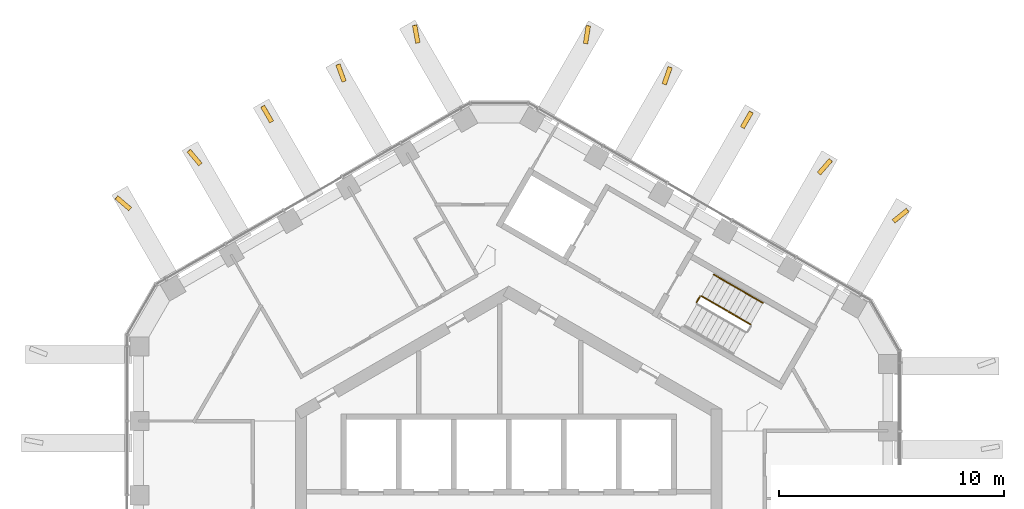
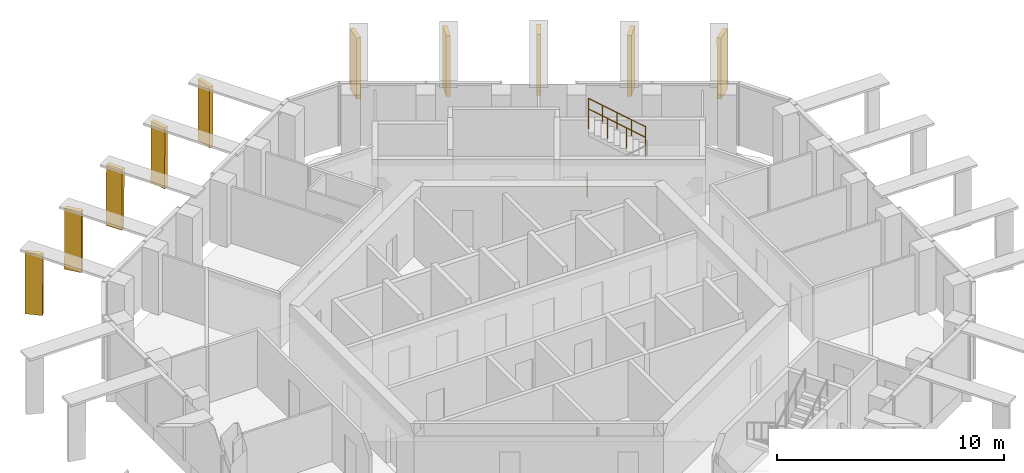
# One storey, part 18 of 18: 10 shading devices, 4 railings.
"""IFC4 building model written with IfcOpenShell, lengths in metres."""

from ifc_helpers import new_model, si_unit, direction, frame, origin, origin_2d, place, context, subcontext, project, spatial, polyline, circle, outline, extrude, material, layer, layer_set, type_object, element, save


model = new_model("IFC4")

# Units and contexts
model_context = context("Model", 3, precision=1e-05, world=origin(), true_north=direction((0.0, 1.0)))
body_context = subcontext(model_context, "Body", "Model", "MODEL_VIEW")
ifc_project = project(units=[si_unit("LENGTHUNIT", "METRE"), si_unit("AREAUNIT", "SQUARE_METRE"), si_unit("VOLUMEUNIT", "CUBIC_METRE"), si_unit("PLANEANGLEUNIT", "RADIAN"), si_unit("MASSUNIT", "GRAM", prefix="KILO")], contexts=[model_context])

# Site, building, storey
site_placement = place(None, origin())
site = spatial("IfcSite", under=ifc_project, at=site_placement, CompositionType="ELEMENT")
building_placement = place(site_placement, origin())
building = spatial("IfcBuilding", under=site, at=building_placement, Name="Ayvan Gate Tower", CompositionType="ELEMENT")
storey_placement = place(building_placement, frame((0.0, 0.0, 242.699951171875)))
storey = spatial("IfcBuildingStorey", under=building, at=storey_placement, Name="L65", CompositionType="ELEMENT", Elevation=242.699951171875)

# Shading devices
ifc_material_1 = material(Name="Bronze anodised aluminium", Category="aluminium")
ifc_layer = layer(ifc_material_1, 0.199951171875)
ifc_layer_set = layer_set([ifc_layer], Name="Bronze anodised aluminium")
shading_device_type = type_object("IfcShadingDeviceType", Name="Crown frame rib 800 x 200", PredefinedType="USERDEFINED", material=ifc_layer_set)
shading_device_1_placement = place(storey_placement, frame((-3.943603515625, 21.81591796875, 0.0), z_axis=(0.983236342138, 0.182335106899, 0.000451987025), x_axis=(-0.182335125493, 0.983236442577, -6.7811e-08)))
element("IfcShadingDevice", 1, at=shading_device_1_placement, inside=storey, type_object=shading_device_type, Name="CROWN FRAME rib FR03.3.1", ObjectType="FIN", PredefinedType="USERDEFINED", context=body_context, shape_type="SweptSolid", body=[
    extrude(outline(polyline([(0.0, 0.0), (0.8000102265386648, 0.0), (0.7913682775714035, 3.2800296855806397), (-0.008686464378758717, 3.2800295770790577), (0.0, 0.0)])), origin(), (0.0, 0.0, -1.0), 0.199951171875),
])
shading_device_2_placement = place(storey_placement, frame((-7.23291015625, 20.115966796875, 0.0), z_axis=(0.939463284364, 0.342649323917, 0.000422080237), x_axis=(-0.342649354439, 0.939463368047, 0.0)))
element("IfcShadingDevice", 2, at=shading_device_2_placement, inside=storey, type_object=shading_device_type, Name="CROWN FRAME rib FR03.3.2", ObjectType="FIN", PredefinedType="USERDEFINED", context=body_context, shape_type="SweptSolid", body=[
    extrude(outline(polyline([(0.0, 0.0), (0.8001472009893164, 0.0), (0.7920763544873165, 3.28002958904648), (-0.008070846501999976, 3.28002958904648), (0.0, 0.0)])), origin(), (0.0, 0.0, -1.0), 0.199951171875),
])
shading_device_3_placement = place(storey_placement, frame((-10.46875, 18.33203125, 0.0), z_axis=(0.866055904724, 0.499946985705, 0.000425885233), x_axis=(-0.499947031033, 0.866055983272, -3.2489e-08)))
element("IfcShadingDevice", 3, at=shading_device_3_placement, inside=storey, type_object=shading_device_type, Name="CROWN FRAME rib FR03.3.3", ObjectType="FIN", PredefinedType="USERDEFINED", context=body_context, shape_type="SweptSolid", body=[
    extrude(outline(polyline([(0.0, 0.0), (0.7999951458393758, 2.710505431213761e-20), (0.7920977851666643, 3.2800296200726384), (-0.007685921223670346, 3.280029568097072), (0.0, 0.0)])), origin(), (0.0, 0.0, -1.0), 0.199951171875),
])
shading_device_4_placement = place(storey_placement, frame((-13.6513671875, 16.4501953125, 0.0), z_axis=(0.766479790954, 0.642268254057, 0.000468924224), x_axis=(-0.642268324674, 0.766479875222, 8.886e-09)))
element("IfcShadingDevice", 4, at=shading_device_4_placement, inside=storey, type_object=shading_device_type, Name="CROWN FRAME rib FR03.3.4", ObjectType="FIN", PredefinedType="USERDEFINED", context=body_context, shape_type="SweptSolid", body=[
    extrude(outline(polyline([(0.0, 0.0), (0.8001397143546465, 0.0), (0.7918602127940954, 3.2800296504612505), (-0.007935568894560764, 3.2800296646783615), (0.0, 0.0)])), origin(), (0.0, 0.0, -1.0), 0.199951171875),
])
shading_device_5_placement = place(storey_placement, frame((-16.79150390625, 14.47509765625, 0.0), z_axis=(0.649471084407, 0.760386160367, 0.000444568997), x_axis=(-0.760386235494, 0.649471148605, -5.1569e-08)))
element("IfcShadingDevice", 5, at=shading_device_5_placement, inside=storey, type_object=shading_device_type, Name="CROWN FRAME rib FR03.3.5", ObjectType="FIN", PredefinedType="USERDEFINED", context=body_context, shape_type="SweptSolid", body=[
    extrude(outline(polyline([(0.0, 0.0), (0.8001969175372731, -2.710505431213761e-20), (0.7914872572825359, 3.2800296618261675), (-0.008551097962597077, 3.2800295793040357), (0.0, 0.0)])), origin(), (0.0, 0.0, -1.0), 0.199951171875),
])
shading_device_6_placement = place(storey_placement, frame((17.204833984375, 13.7734375, 0.0), z_axis=(0.628706374006, -0.777642641247, 0.000466689445), x_axis=(0.777642725931, 0.628706442472, 0.0)))
element("IfcShadingDevice", 6, at=shading_device_6_placement, inside=storey, type_object=shading_device_type, Name="CROWN FRAME rib FR03.2.1", ObjectType="FIN", PredefinedType="USERDEFINED", context=body_context, shape_type="SweptSolid", body=[
    extrude(outline(polyline([(0.0, 0.0), (0.7999435881752508, 0.0), (0.7914487312353338, 3.280029654068672), (-0.008494856939917124, 3.280029654068672), (0.0, 0.0)])), origin(), (0.0, 0.0, -1.0), 0.199951171875),
])
shading_device_7_placement = place(storey_placement, frame((13.895263671875, 15.9130859375, 0.0), z_axis=(0.756373302195, -0.654140073938, 0.000437487733), x_axis=(0.654140136535, 0.75637337458, 6.826e-09)))
element("IfcShadingDevice", 7, at=shading_device_7_placement, inside=storey, type_object=shading_device_type, Name="CROWN FRAME rib FR03.2.2", ObjectType="FIN", PredefinedType="USERDEFINED", context=body_context, shape_type="SweptSolid", body=[
    extrude(outline(polyline([(0.0, 0.0), (0.7998328942393693, -5.421010862427522e-20), (0.7921471327166273, 3.280029605359268), (-0.008030125172916798, 3.2800296162810003), (0.0, 0.0)])), origin(), (0.0, 0.0, -1.0), 0.199951171875),
])
shading_device_8_placement = place(storey_placement, frame((10.493408203125, 17.975341796875, 0.0), z_axis=(0.866094027916, -0.49988090829, 0.000460798868), x_axis=(0.499880961361, 0.866094119867, 0.0)))
element("IfcShadingDevice", 8, at=shading_device_8_placement, inside=storey, type_object=shading_device_type, Name="CROWN FRAME rib FR03.2.3", ObjectType="FIN", PredefinedType="USERDEFINED", context=body_context, shape_type="SweptSolid", body=[
    extrude(outline(polyline([(0.0, 0.0), (0.7999951481672026, 0.0), (0.7923575116766269, 3.2800296451085442), (-0.007637636490575641, 3.2800296451085442), (0.0, 0.0)])), origin(), (0.0, 0.0, -1.0), 0.199951171875),
])
shading_device_9_placement = place(storey_placement, frame((7.022216796875, 19.924560546875, 0.0), z_axis=(0.944768090036, -0.327739318055, 0.000442098142), x_axis=(0.327739350084, 0.944768182364, 0.0)))
element("IfcShadingDevice", 9, at=shading_device_9_placement, inside=storey, type_object=shading_device_type, Name="CROWN FRAME rib FR03.2.4", ObjectType="FIN", PredefinedType="USERDEFINED", context=body_context, shape_type="SweptSolid", body=[
    extrude(outline(polyline([(0.0, 0.0), (0.8000474498505256, 1.3552527156068805e-20), (0.7923088417676348, 3.280029617417168), (-0.007738608082890709, 3.280029617417168), (0.0, 0.0)])), origin(), (0.0, 0.0, -1.0), 0.199951171875),
])
shading_device_10_placement = place(storey_placement, frame((3.523193359375, 21.755615234375, 0.0), z_axis=(0.987861657769, -0.155335676183, 0.000415710104), x_axis=(0.155335689605, 0.987861743127, 0.0)))
element("IfcShadingDevice", 10, at=shading_device_10_placement, inside=storey, type_object=shading_device_type, Name="CROWN FRAME rib FR03.2.5", ObjectType="FIN", PredefinedType="USERDEFINED", context=body_context, shape_type="SweptSolid", body=[
    extrude(outline(polyline([(0.0, 0.0), (0.7999937325470513, 6.776263578034403e-21), (0.7913765470363111, 3.2800295802939883), (-0.008617185510740115, 3.2800295802939883), (0.0, 0.0)])), origin(), (0.0, 0.0, -1.0), 0.199951171875),
])

# Railings
ifc_material_2 = material(Name="Stainless steel balustrade", Category="steel")
railing_type_1 = type_object("IfcRailingType", Name="RL-GUARD-1100", PredefinedType="GUARDRAIL", material=ifc_material_2)
railing_1_placement = place(storey_placement, frame((10.7685546875, 9.261474609375, 1.8701171875)))
element("IfcRailing", 11, at=railing_1_placement, inside=storey, type_object=railing_type_1, Name="L65 STS1 stair guard 3", PredefinedType="GUARDRAIL", context=body_context, shape_type="SweptSolid", body=[
    extrude(circle(Radius=0.02392578125, at=origin_2d()), frame((0.0, 0.0, 1.076171875), z_axis=(-0.740261155115, 0.427395438142, 0.518986090067), x_axis=(-0.500004791531, -0.866022637375, 0.0)), (0.0, 0.0, 1.0), 2.947998046875),
    extrude(circle(Radius=0.02099609375, at=origin_2d()), origin(), (0.0, 0.0, 1.0), 1.052001953125),
    extrude(circle(Radius=0.02099609375, at=origin_2d()), frame((-0.7275390625, 0.419921875, 0.510009765625)), (0.0, 0.0, 1.0), 1.052001953125),
    extrude(circle(Radius=0.02099609375, at=origin_2d()), frame((-1.454833984375, 0.840087890625, 1.02001953125)), (0.0, 0.0, 1.0), 1.052001953125),
    extrude(circle(Radius=0.02099609375, at=origin_2d()), frame((-2.182373046875, 1.260009765625, 1.530029296875)), (0.0, 0.0, 1.0), 1.052001953125),
])
railing_2_placement = place(storey_placement, frame((8.36279296875, 10.23486328125, 0.0)))
element("IfcRailing", 12, at=railing_2_placement, inside=storey, type_object=railing_type_1, Name="L65 STS1 stair guard 4", PredefinedType="GUARDRAIL", context=body_context, shape_type="SweptSolid", body=[
    extrude(circle(Radius=0.02392578125, at=origin_2d()), frame((0.0, 0.0, 1.076171875), z_axis=(0.500290723946, 0.86585748916, 0.0), x_axis=(-0.86585748916, 0.500290723946, 0.0)), (0.0, 0.0, 1.0), 0.309814453125),
    extrude(circle(Radius=0.02099609375, at=origin_2d()), origin(), (0.0, 0.0, 1.0), 1.052001953125),
    extrude(circle(Radius=0.02099609375, at=origin_2d()), frame((0.155029296875, 0.268310546875, 0.0)), (0.0, 0.0, 1.0), 1.052001953125),
])
railing_type_2 = type_object("IfcRailingType", Name="RL-HANDRAIL-900", PredefinedType="HANDRAIL", material=ifc_material_2)
railing_3_placement = place(storey_placement, frame((11.318603515625, 10.214111328125, 1.8701171875)))
element("IfcRailing", 13, at=railing_3_placement, inside=storey, type_object=railing_type_2, Name="L65 STS1 stair handrail 3", PredefinedType="HANDRAIL", context=body_context, shape_type="SweptSolid", body=[
    extrude(circle(Radius=0.02392578125, at=origin_2d()), frame((0.0, 0.0, 0.8759765625), z_axis=(-0.740304193401, 0.427455284825, 0.518875399983), x_axis=(-0.500035496587, -0.86600490885, 0.0)), (0.0, 0.0, 1.0), 1.47412109375),
    extrude(circle(Radius=0.02099609375, at=origin_2d()), origin(), (0.0, 0.0, 1.0), 0.851806640625),
    extrude(circle(Radius=0.02099609375, at=origin_2d()), frame((-0.545654296875, 0.31494140625, 0.38232421875)), (0.0, 0.0, 1.0), 0.851806640625),
    extrude(circle(Radius=0.02099609375, at=origin_2d()), frame((-1.09130859375, 0.630126953125, 0.764892578125)), (0.0, 0.0, 1.0), 0.851806640625),
])
railing_4_placement = place(storey_placement, frame((10.227294921875, 10.84423828125, 2.635009765625)))
element("IfcRailing", 14, at=railing_4_placement, inside=storey, type_object=railing_type_2, Name="L65 STS1 stair handrail 4", PredefinedType="HANDRAIL", context=body_context, shape_type="SweptSolid", body=[
    extrude(circle(Radius=0.02392578125, at=origin_2d()), frame((0.0, 0.0, 0.8759765625), z_axis=(-0.740292964666, 0.42728318766, 0.519033143459), x_axis=(-0.499890179513, -0.866088799389, 0.0)), (0.0, 0.0, 1.0), 1.47412109375),
    extrude(circle(Radius=0.02099609375, at=origin_2d()), origin(), (0.0, 0.0, 1.0), 0.851806640625),
    extrude(circle(Radius=0.02099609375, at=origin_2d()), frame((-0.545654296875, 0.31494140625, 0.382568359375)), (0.0, 0.0, 1.0), 0.851806640625),
    extrude(circle(Radius=0.02099609375, at=origin_2d()), frame((-1.09130859375, 0.6298828125, 0.76513671875)), (0.0, 0.0, 1.0), 0.851806640625),
])

save(model, "model.ifc")
